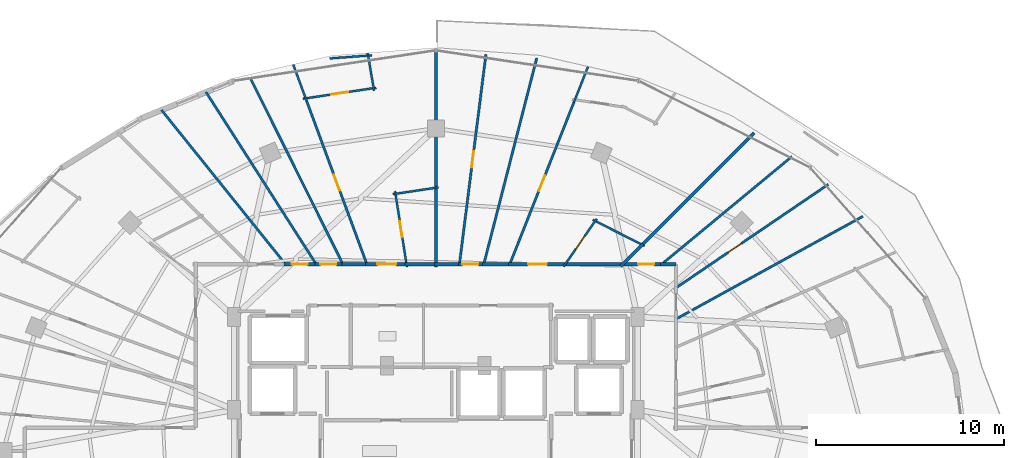
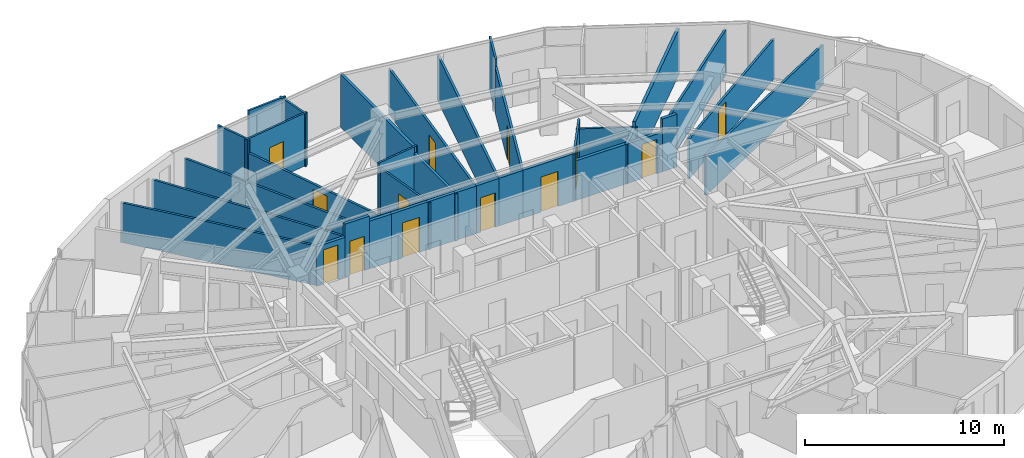
# One storey, part 30 of 34: 35 walls, 13 doors, 13 openings.
"""IFC4 building model written with IfcOpenShell, lengths in metres."""

from ifc_helpers import new_model, si_unit, direction, frame, frame_2d, origin, place, context, subcontext, project, spatial, rectangle, extrude, material, layer, layer_set, type_object, element, fill, save


model = new_model("IFC4")

# Units and contexts
model_context = context("Model", 3, precision=1e-05, world=origin(), true_north=direction((0.0, 1.0)))
body_context = subcontext(model_context, "Body", "Model", "MODEL_VIEW")
ifc_project = project(units=[si_unit("LENGTHUNIT", "METRE"), si_unit("AREAUNIT", "SQUARE_METRE"), si_unit("VOLUMEUNIT", "CUBIC_METRE"), si_unit("PLANEANGLEUNIT", "RADIAN"), si_unit("MASSUNIT", "GRAM", prefix="KILO")], contexts=[model_context])

# Site, building, storey
site_placement = place(None, origin())
site = spatial("IfcSite", under=ifc_project, at=site_placement, CompositionType="ELEMENT")
building_placement = place(site_placement, origin())
building = spatial("IfcBuilding", under=site, at=building_placement, Name="Vorneva Point Tower", CompositionType="ELEMENT")
storey_placement = place(building_placement, frame((0.0, 0.0, 182.60009765625)))
storey = spatial("IfcBuildingStorey", under=building, at=storey_placement, Name="L49", CompositionType="ELEMENT", Elevation=182.60009765625)

# Wall, opening, door
ifc_material_1 = material(Name="Fire-rated acoustic gypsum stud partition", Category="gypsum")
ifc_layer_1 = layer(ifc_material_1, 0.110107421875)
ifc_layer_set_1 = layer_set([ifc_layer_1], Name="Fire-rated acoustic gypsum stud partition")
wall_type_1 = type_object("IfcWallType", Name="WL-PART-110", PredefinedType="PARTITIONING", material=ifc_layer_set_1)
wall_1_placement = place(storey_placement, frame((44.811279296875, 35.8349609375, 0.0), z_axis=(0.0, 0.0, 1.0), x_axis=(0.569300192805, 0.822129728493, 0.0)))
wall_1 = element("IfcWall", 1, at=wall_1_placement, inside=storey, type_object=wall_type_1, Name="L49 Interior Partition 109", PredefinedType="PARTITIONING", context=body_context, shape_type="SweptSolid", body=[
    extrude(rectangle(XDim=3.095703125, YDim=0.110107421875, at=frame_2d((1.5478515625, 0.0))), origin(), (0.0, 0.0, 1.0), 2.921875),
])
opening_1_placement = place(wall_1_placement, frame((1.122802734375, 0.0, 0.0)))
opening_1 = element("IfcOpeningElement", 2, at=opening_1_placement, cuts=wall_1, Name="Opening ID-02", PredefinedType="OPENING", context=body_context, shape_type="SweptSolid", body=[
    extrude(rectangle(XDim=0.85009765625, YDim=2.10009765625, at=frame_2d((0.425048828125, 1.050048828125))), frame((0.0, 0.06982421875, 0.0), z_axis=(0.0, -1.0, 0.0), x_axis=(1.0, 0.0, 0.0)), (0.0, 0.0, 1.0), 0.139892578125),
])
ifc_material_2 = material(Name="Engineered oak fire-rated door leaf", Category="wood")
door_type_1 = type_object("IfcDoorType", Name="DR-BATH-850", OperationType="NOTDEFINED", PredefinedType="DOOR", material=ifc_material_2)
door_1_placement = place(opening_1_placement, origin())
door_1 = element("IfcDoor", 3, at=door_1_placement, inside=storey, type_object=door_type_1, Name="L49 Door Living and Dining Room L49-02 / Bathroom L49-02", OperationType="SINGLE_SWING_RIGHT", OverallHeight=2.10009765625, OverallWidth=0.85009765625, PredefinedType="DOOR", context=body_context, shape_type="SweptSolid", body=[
    extrude(rectangle(XDim=0.85009765625, YDim=2.10009765625, at=frame_2d((0.425048828125, 1.050048828125))), frame((0.0, 0.02490234375, 0.0), z_axis=(0.0, -1.0, 0.0), x_axis=(1.0, 0.0, 0.0)), (0.0, 0.0, 1.0), 0.050048828125),
])
fill(opening_1, door_1)

# Walls
wall_2_placement = place(storey_placement, frame((46.369140625, 38.328125, 0.0), z_axis=(0.0, 0.0, 1.0), x_axis=(0.892472891666, -0.451101028199, 0.0)))
element("IfcWall", 4, at=wall_2_placement, inside=storey, type_object=wall_type_1, Name="L49 Interior Partition 110", PredefinedType="PARTITIONING", context=body_context, shape_type="SweptSolid", body=[
    extrude(rectangle(XDim=3.08642578125, YDim=0.110107421875, at=frame_2d((1.543212890625, 0.0))), origin(), (0.0, 0.0, 1.0), 2.431884765625),
])
wall_3_placement = place(storey_placement, frame((45.363525390625, 44.598876953125, 0.0), z_axis=(0.0, 0.0, 1.0), x_axis=(0.368148258243, 0.929767099844, 0.0)))
element("IfcWall", 5, at=wall_3_placement, inside=storey, type_object=wall_type_1, Name="L49 Interior Partition 113", PredefinedType="PARTITIONING", context=body_context, shape_type="SweptSolid", body=[
    extrude(rectangle(XDim=2.026611328125, YDim=0.110107421875, at=frame_2d((1.01318359375, 0.0))), origin(), (0.0, 0.0, 1.0), 3.239990234375),
])

# Wall, opening, door
wall_4_placement = place(storey_placement, frame((36.461669921875, 35.811767578125, 0.0), z_axis=(0.0, 0.0, 1.0), x_axis=(-0.154883213323, 0.987932786292, 0.0)))
wall_4 = element("IfcWall", 6, at=wall_4_placement, inside=storey, type_object=wall_type_1, Name="L49 Interior Partition 120", PredefinedType="PARTITIONING", context=body_context, shape_type="SweptSolid", body=[
    extrude(rectangle(XDim=4.0888671875, YDim=0.110107421875, at=frame_2d((2.04443359375, 0.0))), origin(), (0.0, 0.0, 1.0), 2.8740234375),
])
opening_2_placement = place(wall_4_placement, frame((1.619384765625, 0.0, 0.0)))
opening_2 = element("IfcOpeningElement", 7, at=opening_2_placement, cuts=wall_4, Name="Opening ID-02", PredefinedType="OPENING", context=body_context, shape_type="SweptSolid", body=[
    extrude(rectangle(XDim=0.85009765625, YDim=2.10009765625, at=frame_2d((0.425048828125, 1.050048828125))), frame((0.0, 0.06982421875, 0.0), z_axis=(0.0, -1.0, 0.0), x_axis=(1.0, 0.0, 0.0)), (0.0, 0.0, 1.0), 0.139892578125),
])
door_2_placement = place(opening_2_placement, origin())
door_2 = element("IfcDoor", 8, at=door_2_placement, inside=storey, type_object=door_type_1, Name="L49 Door Living and Dining Room L49-03 / Bathroom L49-03", OperationType="SINGLE_SWING_LEFT", OverallHeight=2.10009765625, OverallWidth=0.85009765625, PredefinedType="DOOR", context=body_context, shape_type="SweptSolid", body=[
    extrude(rectangle(XDim=0.85009765625, YDim=2.10009765625, at=frame_2d((0.425048828125, 1.050048828125))), frame((0.0, 0.02490234375, 0.0), z_axis=(0.0, -1.0, 0.0), x_axis=(1.0, 0.0, 0.0)), (0.0, 0.0, 1.0), 0.050048828125),
])
fill(opening_2, door_2)

# Walls
wall_5_placement = place(storey_placement, frame((35.711669921875, 39.692138671875, 0.0), z_axis=(0.0, 0.0, 1.0), x_axis=(0.988892526147, 0.148632337431, 0.0)))
element("IfcWall", 9, at=wall_5_placement, inside=storey, type_object=wall_type_1, Name="L49 Interior Partition 121", PredefinedType="PARTITIONING", context=body_context, shape_type="SweptSolid", body=[
    extrude(rectangle(XDim=2.4541015625, YDim=0.110107421875, at=frame_2d((1.22705078125, 0.0))), origin(), (0.0, 0.0, 1.0), 3.239990234375),
])
wall_6_placement = place(storey_placement, frame((34.365478515625, 47.218017578125, 0.0), z_axis=(0.0, 0.0, 1.0), x_axis=(0.168804313657, -0.985649584635, 0.0)))
element("IfcWall", 10, at=wall_6_placement, inside=storey, type_object=wall_type_1, Name="L49 Interior Partition 122", PredefinedType="PARTITIONING", context=body_context, shape_type="SweptSolid", body=[
    extrude(rectangle(XDim=2.039306640625, YDim=0.110107421875, at=frame_2d((1.01953125, 0.0))), origin(), (0.0, 0.0, 1.0), 3.239990234375),
])

# Wall, opening, door
wall_7_placement = place(storey_placement, frame((34.824462890625, 45.36669921875, 0.0), z_axis=(0.0, 0.0, 1.0), x_axis=(-0.988877230123, -0.148734070555, 0.0)))
wall_7 = element("IfcWall", 11, at=wall_7_placement, inside=storey, type_object=wall_type_1, Name="L49 Interior Partition 123", PredefinedType="PARTITIONING", context=body_context, shape_type="SweptSolid", body=[
    extrude(rectangle(XDim=3.94287109375, YDim=0.110107421875, at=frame_2d((1.971435546875, 0.0))), origin(), (0.0, 0.0, 1.0), 3.239990234375),
])
opening_3_placement = place(wall_7_placement, frame((1.521240234375, 0.0, 0.0)))
opening_3 = element("IfcOpeningElement", 12, at=opening_3_placement, cuts=wall_7, Name="Opening ID-01", PredefinedType="OPENING", context=body_context, shape_type="SweptSolid", body=[
    extrude(rectangle(XDim=0.89990234375, YDim=2.10009765625, at=frame_2d((0.449951171875, 1.050048828125))), frame((0.0, 0.06982421875, 0.0), z_axis=(0.0, -1.0, 0.0), x_axis=(1.0, 0.0, 0.0)), (0.0, 0.0, 1.0), 0.139892578125),
])
door_type_2 = type_object("IfcDoorType", Name="DR-ROOM-900", OperationType="NOTDEFINED", PredefinedType="DOOR", material=ifc_material_2)
door_3_placement = place(opening_3_placement, origin())
door_3 = element("IfcDoor", 13, at=door_3_placement, inside=storey, type_object=door_type_2, Name="L49 Door Living and Dining Room L49-03 / Kitchen L49-03", OperationType="SINGLE_SWING_RIGHT", OverallHeight=2.10009765625, OverallWidth=0.89990234375, PredefinedType="DOOR", context=body_context, shape_type="SweptSolid", body=[
    extrude(rectangle(XDim=0.89990234375, YDim=2.10009765625, at=frame_2d((0.449951171875, 1.050048828125))), frame((0.0, 0.02490234375, 0.0), z_axis=(0.0, -1.0, 0.0), x_axis=(1.0, 0.0, 0.0)), (0.0, 0.0, 1.0), 0.050048828125),
])
fill(opening_3, door_3)

# Walls
wall_8_placement = place(storey_placement, frame((31.112548828125, 44.669677734375, 0.0), z_axis=(0.0, 0.0, 1.0), x_axis=(-0.346337161188, 0.938110105894, 0.0)))
element("IfcWall", 14, at=wall_8_placement, inside=storey, type_object=wall_type_1, Name="L49 Interior Partition 124", PredefinedType="PARTITIONING", context=body_context, shape_type="SweptSolid", body=[
    extrude(rectangle(XDim=2.05908203125, YDim=0.110107421875, at=frame_2d((1.029541015625, 0.0))), origin(), (0.0, 0.0, 1.0), 3.239990234375),
])
wall_9_placement = place(storey_placement, frame((34.588623046875, 47.095458984375, 0.0), z_axis=(0.0, 0.0, 1.0), x_axis=(-0.997205784552, -0.074703569226, 0.0)))
element("IfcWall", 15, at=wall_9_placement, inside=storey, type_object=wall_type_1, Name="L49 Interior Partition 125", PredefinedType="PARTITIONING", context=body_context, shape_type="SweptSolid", body=[
    extrude(rectangle(XDim=2.24853515625, YDim=0.110107421875, at=frame_2d((1.124267578125, 0.0))), origin(), (0.0, 0.0, 1.0), 3.239990234375),
])
ifc_layer_2 = layer(ifc_material_1, 0.125)
ifc_layer_set_2 = layer_set([ifc_layer_2], Name="Fire-rated acoustic gypsum stud partition")
wall_type_2 = type_object("IfcWallType", Name="WL-PART-125", PredefinedType="PARTITIONING", material=ifc_layer_set_2)
wall_10_placement = place(storey_placement, frame((60.760986328125, 38.512939453125, 0.0), z_axis=(0.0, 0.0, 1.0), x_axis=(-0.876315654865, -0.481737348602, 0.0)))
element("IfcWall", 16, at=wall_10_placement, inside=storey, type_object=wall_type_2, Name="L49 Interior Partition 104", PredefinedType="PARTITIONING", context=body_context, shape_type="SweptSolid", body=[
    extrude(rectangle(XDim=11.366943359375, YDim=0.125, at=frame_2d((5.68359375, 0.0))), origin(), (0.0, 0.0, 1.0), 2.431884765625),
])

# Wall, opening, door
wall_11_placement = place(storey_placement, frame((58.9169921875, 40.215087890625, 0.0), z_axis=(0.0, 0.0, 1.0), x_axis=(-0.827087951184, -0.562072522906, 0.0)))
wall_11 = element("IfcWall", 17, at=wall_11_placement, inside=storey, type_object=wall_type_2, Name="L49 Interior Partition 105", PredefinedType="PARTITIONING", context=body_context, shape_type="SweptSolid", body=[
    extrude(rectangle(XDim=9.81396484375, YDim=0.125, at=frame_2d((4.906982421875, 0.0))), origin(), (0.0, 0.0, 1.0), 2.431884765625),
])
opening_4_placement = place(wall_11_placement, frame((5.601806640625, 0.0, 0.0)))
opening_4 = element("IfcOpeningElement", 18, at=opening_4_placement, cuts=wall_11, Name="Opening ID-02", PredefinedType="OPENING", context=body_context, shape_type="SweptSolid", body=[
    extrude(rectangle(XDim=0.85009765625, YDim=2.10009765625, at=frame_2d((0.425048828125, 1.050048828125))), frame((0.0, 0.077392578125, 0.0), z_axis=(0.0, -1.0, 0.0), x_axis=(1.0, 0.0, 0.0)), (0.0, 0.0, 1.0), 0.15478515625),
])
door_4_placement = place(opening_4_placement, origin())
door_4 = element("IfcDoor", 19, at=door_4_placement, inside=storey, type_object=door_type_1, Name="L49 Access Door Bedroom L49-01.2", OperationType="SINGLE_SWING_RIGHT", OverallHeight=2.10009765625, OverallWidth=0.85009765625, PredefinedType="DOOR", context=body_context, shape_type="SweptSolid", body=[
    extrude(rectangle(XDim=0.85009765625, YDim=2.10009765625, at=frame_2d((0.425048828125, 1.050048828125))), frame((0.0, 0.02490234375, 0.0), z_axis=(0.0, -1.0, 0.0), x_axis=(1.0, 0.0, 0.0)), (0.0, 0.0, 1.0), 0.050048828125),
])
fill(opening_4, door_4)

# Wall
wall_12_placement = place(storey_placement, frame((56.97998046875, 41.701904296875, 0.0), z_axis=(0.0, 0.0, 1.0), x_axis=(-0.770511618294, -0.637425953405, 0.0)))
element("IfcWall", 20, at=wall_12_placement, inside=storey, type_object=wall_type_2, Name="L49 Interior Partition 106", PredefinedType="PARTITIONING", context=body_context, shape_type="SweptSolid", body=[
    extrude(rectangle(XDim=9.023681640625, YDim=0.125, at=frame_2d((4.51171875, 0.0))), origin(), (0.0, 0.0, 1.0), 2.77392578125),
])

# Wall, opening, door
wall_13_placement = place(storey_placement, frame((45.36328125, 44.598876953125, 0.0), z_axis=(0.0, 0.0, 1.0), x_axis=(-0.368121248273, -0.929777794191, 0.0)))
wall_13 = element("IfcWall", 21, at=wall_13_placement, inside=storey, type_object=wall_type_2, Name="L49 Interior Partition 115", PredefinedType="PARTITIONING", context=body_context, shape_type="SweptSolid", body=[
    extrude(rectangle(XDim=9.30224609375, YDim=0.125, at=frame_2d((4.651123046875, 0.0))), origin(), (0.0, 0.0, 1.0), 2.77392578125),
])
opening_5_placement = place(wall_13_placement, frame((4.200927734375, 0.0, 0.0)))
opening_5 = element("IfcOpeningElement", 22, at=opening_5_placement, cuts=wall_13, Name="Opening ID-01", PredefinedType="OPENING", context=body_context, shape_type="SweptSolid", body=[
    extrude(rectangle(XDim=0.89990234375, YDim=2.10009765625, at=frame_2d((0.449951171875, 1.050048828125))), frame((0.0, 0.077392578125, 0.0), z_axis=(0.0, -1.0, 0.0), x_axis=(1.0, 0.0, 0.0)), (0.0, 0.0, 1.0), 0.15478515625),
])
door_5_placement = place(opening_5_placement, origin())
door_5 = element("IfcDoor", 23, at=door_5_placement, inside=storey, type_object=door_type_2, Name="L49 Door Living and Dining Room L49-02 / Master Bedroom L49-02.1", OperationType="SINGLE_SWING_RIGHT", OverallHeight=2.10009765625, OverallWidth=0.89990234375, PredefinedType="DOOR", context=body_context, shape_type="SweptSolid", body=[
    extrude(rectangle(XDim=0.89990234375, YDim=2.10009765625, at=frame_2d((0.449951171875, 1.050048828125))), frame((0.0, 0.02490234375, 0.0), z_axis=(0.0, -1.0, 0.0), x_axis=(1.0, 0.0, 0.0)), (0.0, 0.0, 1.0), 0.050048828125),
])
fill(opening_5, door_5)

# Wall
wall_14_placement = place(storey_placement, frame((43.37890625, 46.947998046875, 0.0), z_axis=(0.0, 0.0, 1.0), x_axis=(-0.248702786244, -0.968579849116, 0.0)))
element("IfcWall", 24, at=wall_14_placement, inside=storey, type_object=wall_type_2, Name="L49 Interior Partition 116", PredefinedType="PARTITIONING", context=body_context, shape_type="SweptSolid", body=[
    extrude(rectangle(XDim=11.354736328125, YDim=0.125, at=frame_2d((5.67724609375, 0.0))), origin(), (0.0, 0.0, 1.0), 2.77392578125),
])

# Wall, opening, door
wall_15_placement = place(storey_placement, frame((40.672119140625, 47.14990234375, 0.0), z_axis=(0.0, 0.0, 1.0), x_axis=(-0.125346852027, -0.992112980808, 0.0)))
wall_15 = element("IfcWall", 25, at=wall_15_placement, inside=storey, type_object=wall_type_2, Name="L49 Interior Partition 117", PredefinedType="PARTITIONING", context=body_context, shape_type="SweptSolid", body=[
    extrude(rectangle(XDim=11.2890625, YDim=0.125, at=frame_2d((5.64453125, 0.0))), origin(), (0.0, 0.0, 1.0), 2.77392578125),
])
opening_6_placement = place(wall_15_placement, frame((5.219482421875, 0.0, 0.0)))
opening_6 = element("IfcOpeningElement", 26, at=opening_6_placement, cuts=wall_15, Name="Opening ID-02", PredefinedType="OPENING", context=body_context, shape_type="SweptSolid", body=[
    extrude(rectangle(XDim=0.85009765625, YDim=2.10009765625, at=frame_2d((0.425048828125, 1.050048828125))), frame((0.0, 0.077392578125, 0.0), z_axis=(0.0, -1.0, 0.0), x_axis=(1.0, 0.0, 0.0)), (0.0, 0.0, 1.0), 0.15478515625),
])
door_6_placement = place(opening_6_placement, origin())
door_6 = element("IfcDoor", 27, at=door_6_placement, inside=storey, type_object=door_type_1, Name="L49 Access Door Bedroom L49-02.2", OperationType="SINGLE_SWING_LEFT", OverallHeight=2.10009765625, OverallWidth=0.85009765625, PredefinedType="DOOR", context=body_context, shape_type="SweptSolid", body=[
    extrude(rectangle(XDim=0.85009765625, YDim=2.10009765625, at=frame_2d((0.425048828125, 1.050048828125))), frame((0.0, 0.02490234375, 0.0), z_axis=(0.0, -1.0, 0.0), x_axis=(1.0, 0.0, 0.0)), (0.0, 0.0, 1.0), 0.050048828125),
])
fill(opening_6, door_6)

wall_16_placement = place(storey_placement, frame((31.1123046875, 44.669677734375, 0.0), z_axis=(0.0, 0.0, 1.0), x_axis=(0.346109472243, -0.938194134081, 0.0)))
wall_16 = element("IfcWall", 28, at=wall_16_placement, inside=storey, type_object=wall_type_2, Name="L49 Interior Partition 126", PredefinedType="PARTITIONING", context=body_context, shape_type="SweptSolid", body=[
    extrude(rectangle(XDim=9.294189453125, YDim=0.125, at=frame_2d((4.64697265625, 0.0))), origin(), (0.0, 0.0, 1.0), 2.431884765625),
])
opening_7_placement = place(wall_16_placement, frame((4.197021484375, 0.0, 0.0)))
opening_7 = element("IfcOpeningElement", 29, at=opening_7_placement, cuts=wall_16, Name="Opening ID-01", PredefinedType="OPENING", context=body_context, shape_type="SweptSolid", body=[
    extrude(rectangle(XDim=0.89990234375, YDim=2.10009765625, at=frame_2d((0.449951171875, 1.050048828125))), frame((0.0, 0.077392578125, 0.0), z_axis=(0.0, -1.0, 0.0), x_axis=(1.0, 0.0, 0.0)), (0.0, 0.0, 1.0), 0.15478515625),
])
door_7_placement = place(opening_7_placement, origin())
door_7 = element("IfcDoor", 30, at=door_7_placement, inside=storey, type_object=door_type_2, Name="L49 Door Living and Dining Room L49-03 / Master Bedroom L49-03.1", OperationType="SINGLE_SWING_LEFT", OverallHeight=2.10009765625, OverallWidth=0.89990234375, PredefinedType="DOOR", context=body_context, shape_type="SweptSolid", body=[
    extrude(rectangle(XDim=0.89990234375, YDim=2.10009765625, at=frame_2d((0.449951171875, 1.050048828125))), frame((0.0, 0.02490234375, 0.0), z_axis=(0.0, -1.0, 0.0), x_axis=(1.0, 0.0, 0.0)), (0.0, 0.0, 1.0), 0.050048828125),
])
fill(opening_7, door_7)

# Walls
wall_17_placement = place(storey_placement, frame((28.091064453125, 45.927978515625, 0.0), z_axis=(0.0, 0.0, 1.0), x_axis=(0.445267068418, -0.895397809793, 0.0)))
element("IfcWall", 31, at=wall_17_placement, inside=storey, type_object=wall_type_2, Name="L49 Interior Partition 127", PredefinedType="PARTITIONING", context=body_context, shape_type="SweptSolid", body=[
    extrude(rectangle(XDim=11.143798828125, YDim=0.125, at=frame_2d((5.57177734375, 0.0))), origin(), (0.0, 0.0, 1.0), 2.431884765625),
])
wall_18_placement = place(storey_placement, frame((25.7490234375, 45.137939453125, 0.0), z_axis=(0.0, 0.0, 1.0), x_axis=(0.539168632786, -0.842197830335, 0.0)))
element("IfcWall", 32, at=wall_18_placement, inside=storey, type_object=wall_type_2, Name="L49 Interior Partition 128", PredefinedType="PARTITIONING", context=body_context, shape_type="SweptSolid", body=[
    extrude(rectangle(XDim=10.909423828125, YDim=0.125, at=frame_2d((5.45458984375, 0.0))), origin(), (0.0, 0.0, 1.0), 2.431884765625),
])
wall_19_placement = place(storey_placement, frame((23.3779296875, 44.177978515625, 0.0), z_axis=(0.0, 0.0, 1.0), x_axis=(0.626756813732, -0.779214923137, 0.0)))
element("IfcWall", 33, at=wall_19_placement, inside=storey, type_object=wall_type_2, Name="L49 Interior Partition 129", PredefinedType="PARTITIONING", context=body_context, shape_type="SweptSolid", body=[
    extrude(rectangle(XDim=10.559326171875, YDim=0.125, at=frame_2d((5.27978515625, 0.0))), origin(), (0.0, 0.0, 1.0), 2.431884765625),
])
ifc_layer_3 = layer(ifc_material_1, 0.159912109375)
ifc_layer_set_3 = layer_set([ifc_layer_3], Name="Fire-rated acoustic gypsum stud partition")
wall_type_3 = type_object("IfcWallType", Name="WL-PART-160", PredefinedType="PARTITIONING", material=ifc_layer_set_3)
wall_20_placement = place(storey_placement, frame((54.958984375, 42.958984375, 0.0), z_axis=(0.0, 0.0, 1.0), x_axis=(-0.707106781187, -0.707106781187, 0.0)))
element("IfcWall", 34, at=wall_20_placement, inside=storey, type_object=wall_type_3, Name="L49 Interior Partition 107", PredefinedType="PARTITIONING", context=body_context, shape_type="SweptSolid", body=[
    extrude(rectangle(XDim=8.4921875, YDim=0.159912109375, at=frame_2d((4.24609375, 0.0))), origin(), (0.0, 0.0, 1.0), 2.77392578125),
])
wall_21_placement = place(storey_placement, frame((49.052978515625, 37.052978515625, 0.0), z_axis=(0.0, 0.0, 1.0), x_axis=(-0.707106781187, -0.707106781187, 0.0)))
element("IfcWall", 35, at=wall_21_placement, inside=storey, type_object=wall_type_3, Name="L49 Interior Partition 108", PredefinedType="PARTITIONING", context=body_context, shape_type="SweptSolid", body=[
    extrude(rectangle(XDim=1.69970703125, YDim=0.159912109375, at=frame_2d((0.849853515625, 0.0))), origin(), (0.0, 0.0, 1.0), 2.431884765625),
])
wall_22_placement = place(storey_placement, frame((38.0, 47.35009765625, 0.0), z_axis=(0.0, 0.0, 1.0), x_axis=(0.0, -1.0, 0.0)))
element("IfcWall", 36, at=wall_22_placement, inside=storey, type_object=wall_type_3, Name="L49 Interior Partition 118", PredefinedType="PARTITIONING", context=body_context, shape_type="SweptSolid", body=[
    extrude(rectangle(XDim=7.375, YDim=0.159912109375, at=frame_2d((3.6875, 0.0))), origin(), (0.0, 0.0, 1.0), 3.239990234375),
])
wall_23_placement = place(storey_placement, frame((38.0, 40.114990234375, 0.0), z_axis=(0.0, 0.0, 1.0), x_axis=(0.0, -1.0, 0.0)))
element("IfcWall", 37, at=wall_23_placement, inside=storey, type_object=wall_type_3, Name="L49 Interior Partition 119", PredefinedType="PARTITIONING", context=body_context, shape_type="SweptSolid", body=[
    extrude(rectangle(XDim=4.304931640625, YDim=0.159912109375, at=frame_2d((2.15234375, 0.0))), origin(), (0.0, 0.0, 1.0), 2.8740234375),
])
ifc_material_3 = material(Name="Autoclaved aerated concrete blockwork", Category="masonry")
ifc_layer_4 = layer(ifc_material_3, 0.179931640625)
ifc_layer_set_4 = layer_set([ifc_layer_4], Name="Autoclaved aerated concrete blockwork")
wall_type_4 = type_object("IfcWallType", Name="WL-PART-180", PredefinedType="PARTITIONING", material=ifc_layer_set_4)
wall_24_placement = place(storey_placement, frame((50.800048828125, 35.949951171875, 0.0), z_axis=(0.0, 0.0, 1.0), x_axis=(-1.0, 0.0, 0.0)))
element("IfcWall", 38, at=wall_24_placement, inside=storey, type_object=wall_type_4, Name="L49 Interior Partition 035", PredefinedType="PARTITIONING", context=body_context, shape_type="SweptSolid", body=[
    extrude(rectangle(XDim=0.8330078125, YDim=0.179931640625, at=frame_2d((0.41650390625, 0.0))), origin(), (0.0, 0.0, 1.0), 3.239990234375),
])

# Wall, opening, door
wall_25_placement = place(storey_placement, frame((49.967041015625, 35.949951171875, 0.0), z_axis=(0.0, 0.0, 1.0), x_axis=(-1.0, 0.0, 0.0)))
wall_25 = element("IfcWall", 39, at=wall_25_placement, inside=storey, type_object=wall_type_4, Name="L49 Interior Partition 036", PredefinedType="PARTITIONING", context=body_context, shape_type="SweptSolid", body=[
    extrude(rectangle(XDim=2.0771484375, YDim=0.179931640625, at=frame_2d((1.03857421875, 0.0))), origin(), (0.0, 0.0, 1.0), 2.431884765625),
])
opening_8_placement = place(wall_25_placement, frame((0.33349609375, 0.0, 0.0)))
opening_8 = element("IfcOpeningElement", 40, at=opening_8_placement, cuts=wall_25, Name="Opening ID-02", PredefinedType="OPENING", context=body_context, shape_type="SweptSolid", body=[
    extrude(rectangle(XDim=0.85009765625, YDim=2.10009765625, at=frame_2d((0.425048828125, 1.050048828125))), frame((0.0, 0.10498046875, 0.0), z_axis=(0.0, -1.0, 0.0), x_axis=(1.0, 0.0, 0.0)), (0.0, 0.0, 1.0), 0.209716796875),
])
door_8_placement = place(opening_8_placement, origin())
door_8 = element("IfcDoor", 41, at=door_8_placement, inside=storey, type_object=door_type_1, Name="L49 Access Door L49 Circulation Corridor", OperationType="SINGLE_SWING_LEFT", OverallHeight=2.10009765625, OverallWidth=0.85009765625, PredefinedType="DOOR", context=body_context, shape_type="SweptSolid", body=[
    extrude(rectangle(XDim=0.85009765625, YDim=2.10009765625, at=frame_2d((0.425048828125, 1.050048828125))), frame((0.0, 0.02490234375, 0.0), z_axis=(0.0, -1.0, 0.0), x_axis=(1.0, 0.0, 0.0)), (0.0, 0.0, 1.0), 0.050048828125),
])
fill(opening_8, door_8)

wall_26_placement = place(storey_placement, frame((44.964111328125, 35.949951171875, 0.0), z_axis=(0.0, 0.0, 1.0), x_axis=(-1.0, 0.0, 0.0)))
wall_26 = element("IfcWall", 42, at=wall_26_placement, inside=storey, type_object=wall_type_4, Name="L49 Interior Partition 037", PredefinedType="PARTITIONING", context=body_context, shape_type="SweptSolid", body=[
    extrude(rectangle(XDim=3.085205078125, YDim=0.179931640625, at=frame_2d((1.54248046875, 0.0))), origin(), (0.0, 0.0, 1.0), 2.921875),
])
opening_9_placement = place(wall_26_placement, frame((1.04248046875, 0.0, 0.0)))
opening_9 = element("IfcOpeningElement", 43, at=opening_9_placement, cuts=wall_26, Name="Opening UD-01", PredefinedType="OPENING", context=body_context, shape_type="SweptSolid", body=[
    extrude(rectangle(XDim=1.0, YDim=2.14990234375, at=frame_2d((0.5, 1.074951171875))), frame((0.0, 0.10498046875, 0.0), z_axis=(0.0, -1.0, 0.0), x_axis=(1.0, 0.0, 0.0)), (0.0, 0.0, 1.0), 0.209716796875),
])
door_type_3 = type_object("IfcDoorType", Name="DR-UNIT-1000", OperationType="NOTDEFINED", PredefinedType="DOOR", material=ifc_material_2)
door_9_placement = place(opening_9_placement, origin())
door_9 = element("IfcDoor", 44, at=door_9_placement, inside=storey, type_object=door_type_3, Name="L49 Door L49 Circulation Corridor / Living and Dining Room L49-02", OperationType="SINGLE_SWING_RIGHT", OverallHeight=2.14990234375, OverallWidth=1.0, PredefinedType="DOOR", context=body_context, shape_type="SweptSolid", body=[
    extrude(rectangle(XDim=1.0, YDim=2.14990234375, at=frame_2d((0.5, 1.074951171875))), frame((0.0, 0.02490234375, 0.0), z_axis=(0.0, -1.0, 0.0), x_axis=(1.0, 0.0, 0.0)), (0.0, 0.0, 1.0), 0.050048828125),
])
fill(opening_9, door_9)

# Walls
wall_27_placement = place(storey_placement, frame((48.030029296875, 35.949951171875, 0.0), z_axis=(0.0, 0.0, 1.0), x_axis=(-1.0, 0.0, 0.0)))
element("IfcWall", 45, at=wall_27_placement, inside=storey, type_object=wall_type_4, Name="L49 Interior Partition 038", PredefinedType="PARTITIONING", context=body_context, shape_type="SweptSolid", body=[
    extrude(rectangle(XDim=3.2060546875, YDim=0.179931640625, at=frame_2d((1.60302734375, 0.0))), origin(), (0.0, 0.0, 1.0), 2.431884765625),
])
wall_28_placement = place(storey_placement, frame((41.87890625, 35.949951171875, 0.0), z_axis=(0.0, 0.0, 1.0), x_axis=(-1.0, 0.0, 0.0)))
element("IfcWall", 46, at=wall_28_placement, inside=storey, type_object=wall_type_4, Name="L49 Interior Partition 039", PredefinedType="PARTITIONING", context=body_context, shape_type="SweptSolid", body=[
    extrude(rectangle(XDim=1.3837890625, YDim=0.179931640625, at=frame_2d((0.69189453125, 0.0))), origin(), (0.0, 0.0, 1.0), 2.921875),
])

# Wall, opening, door
wall_29_placement = place(storey_placement, frame((40.4951171875, 35.949951171875, 0.0), z_axis=(0.0, 0.0, 1.0), x_axis=(-1.0, 0.0, 0.0)))
wall_29 = element("IfcWall", 47, at=wall_29_placement, inside=storey, type_object=wall_type_4, Name="L49 Interior Partition 040", PredefinedType="PARTITIONING", context=body_context, shape_type="SweptSolid", body=[
    extrude(rectangle(XDim=1.298095703125, YDim=0.179931640625, at=frame_2d((0.64892578125, 0.0))), origin(), (0.0, 0.0, 1.0), 2.921875),
])
opening_10_placement = place(wall_29_placement, frame((0.22412109375, 0.0, 0.0)))
opening_10 = element("IfcOpeningElement", 48, at=opening_10_placement, cuts=wall_29, Name="Opening ID-02", PredefinedType="OPENING", context=body_context, shape_type="SweptSolid", body=[
    extrude(rectangle(XDim=0.85009765625, YDim=2.10009765625, at=frame_2d((0.425048828125, 1.050048828125))), frame((0.0, 0.10498046875, 0.0), z_axis=(0.0, -1.0, 0.0), x_axis=(1.0, 0.0, 0.0)), (0.0, 0.0, 1.0), 0.209716796875),
])
door_10_placement = place(opening_10_placement, origin())
door_10 = element("IfcDoor", 49, at=door_10_placement, inside=storey, type_object=door_type_1, Name="L49 Access Door L49 Circulation Corridor", OperationType="SINGLE_SWING_RIGHT", OverallHeight=2.10009765625, OverallWidth=0.85009765625, PredefinedType="DOOR", context=body_context, shape_type="SweptSolid", body=[
    extrude(rectangle(XDim=0.85009765625, YDim=2.10009765625, at=frame_2d((0.425048828125, 1.050048828125))), frame((0.0, 0.02490234375, 0.0), z_axis=(0.0, -1.0, 0.0), x_axis=(1.0, 0.0, 0.0)), (0.0, 0.0, 1.0), 0.050048828125),
])
fill(opening_10, door_10)

# Wall
wall_30_placement = place(storey_placement, frame((39.197021484375, 35.949951171875, 0.0), z_axis=(0.0, 0.0, 1.0), x_axis=(-1.0, 0.0, 0.0)))
element("IfcWall", 50, at=wall_30_placement, inside=storey, type_object=wall_type_4, Name="L49 Interior Partition 041", PredefinedType="PARTITIONING", context=body_context, shape_type="SweptSolid", body=[
    extrude(rectangle(XDim=1.257080078125, YDim=0.179931640625, at=frame_2d((0.62841796875, 0.0))), origin(), (0.0, 0.0, 1.0), 2.921875),
])

# Wall, opening, door
wall_31_placement = place(storey_placement, frame((36.5, 35.949951171875, 0.0), z_axis=(0.0, 0.0, 1.0), x_axis=(-1.0, 0.0, 0.0)))
wall_31 = element("IfcWall", 51, at=wall_31_placement, inside=storey, type_object=wall_type_4, Name="L49 Interior Partition 042", PredefinedType="PARTITIONING", context=body_context, shape_type="SweptSolid", body=[
    extrude(rectangle(XDim=2.235107421875, YDim=0.179931640625, at=frame_2d((1.11767578125, 0.0))), origin(), (0.0, 0.0, 1.0), 2.921875),
])
opening_11_placement = place(wall_31_placement, frame((0.617431640625, 0.0, 0.0)))
opening_11 = element("IfcOpeningElement", 52, at=opening_11_placement, cuts=wall_31, Name="Opening UD-01", PredefinedType="OPENING", context=body_context, shape_type="SweptSolid", body=[
    extrude(rectangle(XDim=1.0, YDim=2.14990234375, at=frame_2d((0.5, 1.074951171875))), frame((0.0, 0.10498046875, 0.0), z_axis=(0.0, -1.0, 0.0), x_axis=(1.0, 0.0, 0.0)), (0.0, 0.0, 1.0), 0.209716796875),
])
door_11_placement = place(opening_11_placement, origin())
door_11 = element("IfcDoor", 53, at=door_11_placement, inside=storey, type_object=door_type_3, Name="L49 Door L49 Circulation Corridor / Living and Dining Room L49-03", OperationType="SINGLE_SWING_LEFT", OverallHeight=2.14990234375, OverallWidth=1.0, PredefinedType="DOOR", context=body_context, shape_type="SweptSolid", body=[
    extrude(rectangle(XDim=1.0, YDim=2.14990234375, at=frame_2d((0.5, 1.074951171875))), frame((0.0, 0.02490234375, 0.0), z_axis=(0.0, -1.0, 0.0), x_axis=(1.0, 0.0, 0.0)), (0.0, 0.0, 1.0), 0.050048828125),
])
fill(opening_11, door_11)

# Walls
wall_32_placement = place(storey_placement, frame((38.080078125, 35.949951171875, 0.0), z_axis=(0.0, 0.0, 1.0), x_axis=(-1.0, 0.0, 0.0)))
element("IfcWall", 54, at=wall_32_placement, inside=storey, type_object=wall_type_4, Name="L49 Interior Partition 043", PredefinedType="PARTITIONING", context=body_context, shape_type="SweptSolid", body=[
    extrude(rectangle(XDim=1.719970703125, YDim=0.179931640625, at=frame_2d((0.85986328125, 0.0))), origin(), (0.0, 0.0, 1.0), 2.921875),
])
wall_33_placement = place(storey_placement, frame((34.264892578125, 35.949951171875, 0.0), z_axis=(0.0, 0.0, 1.0), x_axis=(-1.0, 0.0, 0.0)))
element("IfcWall", 55, at=wall_33_placement, inside=storey, type_object=wall_type_4, Name="L49 Interior Partition 044", PredefinedType="PARTITIONING", context=body_context, shape_type="SweptSolid", body=[
    extrude(rectangle(XDim=1.27880859375, YDim=0.179931640625, at=frame_2d((0.639404296875, 0.0))), origin(), (0.0, 0.0, 1.0), 2.921875),
])

# Wall, opening, door
wall_34_placement = place(storey_placement, frame((32.986083984375, 35.949951171875, 0.0), z_axis=(0.0, 0.0, 1.0), x_axis=(-1.0, 0.0, 0.0)))
wall_34 = element("IfcWall", 56, at=wall_34_placement, inside=storey, type_object=wall_type_4, Name="L49 Interior Partition 045", PredefinedType="PARTITIONING", context=body_context, shape_type="SweptSolid", body=[
    extrude(rectangle(XDim=1.426025390625, YDim=0.179931640625, at=frame_2d((0.712890625, 0.0))), origin(), (0.0, 0.0, 1.0), 3.239990234375),
])
opening_12_placement = place(wall_34_placement, frame((0.2880859375, 0.0, 0.0)))
opening_12 = element("IfcOpeningElement", 57, at=opening_12_placement, cuts=wall_34, Name="Opening ID-02", PredefinedType="OPENING", context=body_context, shape_type="SweptSolid", body=[
    extrude(rectangle(XDim=0.85009765625, YDim=2.10009765625, at=frame_2d((0.425048828125, 1.050048828125))), frame((0.0, 0.10498046875, 0.0), z_axis=(0.0, -1.0, 0.0), x_axis=(1.0, 0.0, 0.0)), (0.0, 0.0, 1.0), 0.209716796875),
])
door_12_placement = place(opening_12_placement, origin())
door_12 = element("IfcDoor", 58, at=door_12_placement, inside=storey, type_object=door_type_1, Name="L49 Access Door L49 Circulation Corridor", OperationType="SINGLE_SWING_LEFT", OverallHeight=2.10009765625, OverallWidth=0.85009765625, PredefinedType="DOOR", context=body_context, shape_type="SweptSolid", body=[
    extrude(rectangle(XDim=0.85009765625, YDim=2.10009765625, at=frame_2d((0.425048828125, 1.050048828125))), frame((0.0, 0.02490234375, 0.0), z_axis=(0.0, -1.0, 0.0), x_axis=(1.0, 0.0, 0.0)), (0.0, 0.0, 1.0), 0.050048828125),
])
fill(opening_12, door_12)

wall_35_placement = place(storey_placement, frame((31.56005859375, 35.949951171875, 0.0), z_axis=(0.0, 0.0, 1.0), x_axis=(-1.0, 0.0, 0.0)))
wall_35 = element("IfcWall", 59, at=wall_35_placement, inside=storey, type_object=wall_type_4, Name="L49 Interior Partition 046", PredefinedType="PARTITIONING", context=body_context, shape_type="SweptSolid", body=[
    extrude(rectangle(XDim=1.64111328125, YDim=0.179931640625, at=frame_2d((0.820556640625, 0.0))), origin(), (0.0, 0.0, 1.0), 2.431884765625),
])
opening_13_placement = place(wall_35_placement, frame((0.3955078125, 0.0, 0.0)))
opening_13 = element("IfcOpeningElement", 60, at=opening_13_placement, cuts=wall_35, Name="Opening ID-02", PredefinedType="OPENING", context=body_context, shape_type="SweptSolid", body=[
    extrude(rectangle(XDim=0.85009765625, YDim=2.10009765625, at=frame_2d((0.425048828125, 1.050048828125))), frame((0.0, 0.10498046875, 0.0), z_axis=(0.0, -1.0, 0.0), x_axis=(1.0, 0.0, 0.0)), (0.0, 0.0, 1.0), 0.209716796875),
])
door_13_placement = place(opening_13_placement, origin())
door_13 = element("IfcDoor", 61, at=door_13_placement, inside=storey, type_object=door_type_1, Name="L49 Access Door L49 Circulation Corridor", OperationType="SINGLE_SWING_RIGHT", OverallHeight=2.10009765625, OverallWidth=0.85009765625, PredefinedType="DOOR", context=body_context, shape_type="SweptSolid", body=[
    extrude(rectangle(XDim=0.85009765625, YDim=2.10009765625, at=frame_2d((0.425048828125, 1.050048828125))), frame((0.0, 0.02490234375, 0.0), z_axis=(0.0, -1.0, 0.0), x_axis=(1.0, 0.0, 0.0)), (0.0, 0.0, 1.0), 0.050048828125),
])
fill(opening_13, door_13)

save(model, "model.ifc")
